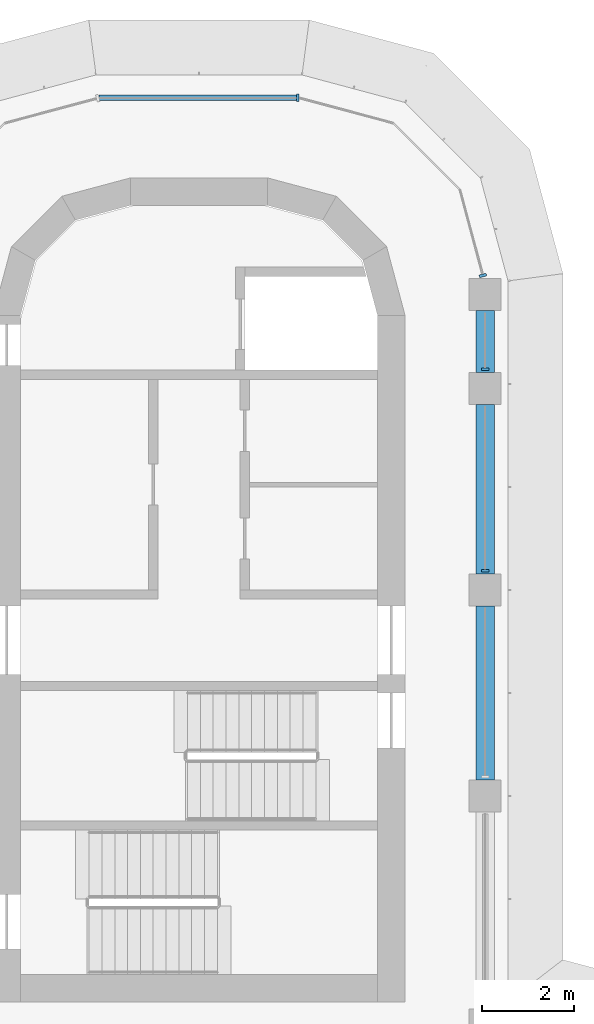
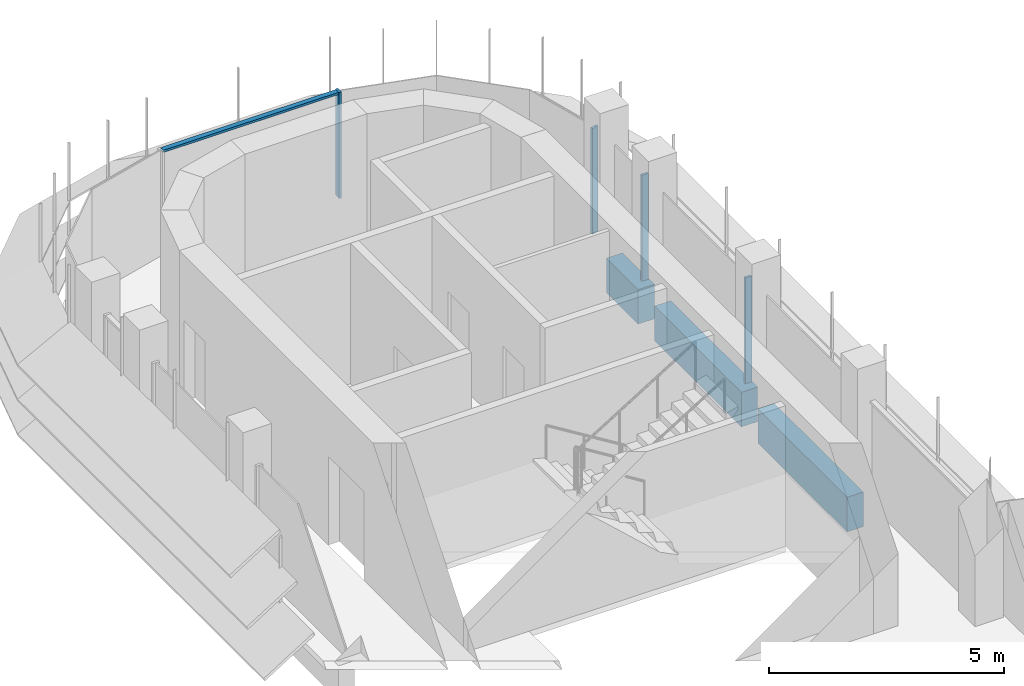
# One storey, part 10 of 18: 5 members, 3 beams, 3 elements without a shape of their own.
"""IFC4 building model written with IfcOpenShell, lengths in metres."""

from ifc_helpers import new_model, si_unit, direction, frame, origin, origin_2d, place, context, subcontext, project, spatial, polyline, rectangle, outline, extrude, source, transform, mapped, material, material_profile, profile_set, type_object, element, aggregate, save


model = new_model("IFC4")

# Units and contexts
model_context = context("Model", 3, precision=1e-05, world=origin(), true_north=direction((0.0, 1.0)))
body_context = subcontext(model_context, "Body", "Model", "MODEL_VIEW")
ifc_project = project(units=[si_unit("LENGTHUNIT", "METRE"), si_unit("AREAUNIT", "SQUARE_METRE"), si_unit("VOLUMEUNIT", "CUBIC_METRE"), si_unit("PLANEANGLEUNIT", "RADIAN"), si_unit("MASSUNIT", "GRAM", prefix="KILO")], contexts=[model_context])

# Site, building, storey
site_placement = place(None, origin())
site = spatial("IfcSite", under=ifc_project, at=site_placement, CompositionType="ELEMENT")
building_placement = place(site_placement, origin())
building = spatial("IfcBuilding", under=site, at=building_placement, Name="Zarbagh Exchange Tower", CompositionType="ELEMENT")
storey_placement = place(building_placement, frame((0.0, 0.0, 214.39990234375)))
storey = spatial("IfcBuildingStorey", under=building, at=storey_placement, Name="L52", CompositionType="ELEMENT", Elevation=214.39990234375)

# Beams
ifc_material_1 = material(Name="Concrete C50/60", Category="concrete")
ifc_material_profile = material_profile(ifc_material_1, rectangle(XDim=0.39990234375, YDim=0.89990234375, at=origin_2d()), Name="RC spandrel beam 400 x 900 C50/60")
ifc_profile_set = profile_set([ifc_material_profile], Name="Concrete C50/60")
beam_type = type_object("IfcBeamType", Name="RC spandrel beam 400 x 900 C50/60", PredefinedType="SPANDREL", material=ifc_profile_set)
beam_1_placement = place(storey_placement, frame((6.25, 26.35009765625, -0.599853515625), z_axis=(0.0, -1.0, 0.0), x_axis=(1.0, 0.0, 0.0)))
element("IfcBeam", 1, at=beam_1_placement, inside=storey, type_object=beam_type, Name="RC spandrel beam", PredefinedType="SPANDREL", context=body_context, shape_type="SweptSolid", body=[
    extrude(rectangle(XDim=0.39990234375, YDim=0.89990234375, at=origin_2d()), origin(), (0.0, 0.0, 1.0), 1.35009765625),
])
beam_2_placement = place(storey_placement, frame((6.25, 24.300048828125, -0.599853515625), z_axis=(0.0, -1.0, 0.0), x_axis=(1.0, 0.0, 0.0)))
element("IfcBeam", 2, at=beam_2_placement, inside=storey, type_object=beam_type, Name="RC spandrel beam", PredefinedType="SPANDREL", context=body_context, shape_type="SweptSolid", body=[
    extrude(rectangle(XDim=0.39990234375, YDim=0.89990234375, at=origin_2d()), origin(), (0.0, 0.0, 1.0), 3.699951171875),
])
beam_3_placement = place(storey_placement, frame((6.25, 19.89990234375, -0.599853515625), z_axis=(0.0, -1.0, 0.0), x_axis=(1.0, 0.0, 0.0)))
element("IfcBeam", 3, at=beam_3_placement, inside=storey, type_object=beam_type, Name="RC spandrel beam", PredefinedType="SPANDREL", context=body_context, shape_type="SweptSolid", body=[
    extrude(rectangle(XDim=0.39990234375, YDim=0.89990234375, at=origin_2d()), origin(), (0.0, 0.0, 1.0), 3.7998046875),
])

# Curtain wall, members
ifc_material_2 = material(Name="Anodised aluminium frame and glazing", Category="aluminium")
curtain_wall_type = type_object("IfcCurtainWallType", Name="CWB Ribbon glazing, upper zones", PredefinedType="NOTDEFINED", material=ifc_material_2)
curtain_wall_1_placement = place(storey_placement, origin())
curtain_wall_1 = element("IfcCurtainWall", 4, at=curtain_wall_1_placement, inside=storey, type_object=curtain_wall_type, Name="CWB20 curtain wall", PredefinedType="NOTDEFINED")
ifc_material_3 = material(Name="Anodised aluminium frame", Category="aluminium")
member_type_1 = type_object("IfcMemberType", Name="MUB Mullion, anodised aluminium frame", PredefinedType="MULLION", material=ifc_material_3)
shared_shape_1 = source(origin(), body_context, "Body", "SweptSolid", [
    extrude(outline(polyline([(0.0, -0.080078125), (0.06005859375, -0.080078125), (0.06005859375, 0.080078125), (0.0, 0.080078125), (0.0, -0.080078125)])), origin(), (0.0, 0.0, 1.0), 2.75),
])
placement = place(storey_placement, origin())
member_1 = element("IfcMember", 5, at=placement, type_object=member_type_1, Name="CWB20 mullion 3.1", PredefinedType="MULLION", context=body_context, shape_type="MappedRepresentation", body=[
    mapped(shared_shape_1, transform((6.25, 20.64013671875, 0.0), x_axis=(0.0, 1.0, 0.0), y_axis=(-1.0, 0.0, 0.0), z_axis=(0.0, 0.0, 1.0))),
])
member_2 = element("IfcMember", 6, at=placement, type_object=member_type_1, Name="CWB20 mullion 4.1", PredefinedType="MULLION", context=body_context, shape_type="MappedRepresentation", body=[
    mapped(shared_shape_1, transform((6.25, 25.0400390625, 0.0), x_axis=(0.0, 1.0, 0.0), y_axis=(-1.0, 0.0, 0.0), z_axis=(0.0, 0.0, 1.0))),
])
aggregate(curtain_wall_1, [member_1, member_2])

# Curtain wall, member
curtain_wall_2_placement = place(storey_placement, origin())
curtain_wall_2 = element("IfcCurtainWall", 7, at=curtain_wall_2_placement, inside=storey, type_object=curtain_wall_type, Name="CWB21 curtain wall", PredefinedType="NOTDEFINED")
member_3 = element("IfcMember", 8, at=placement, type_object=member_type_1, Name="CWB21 mullion 1.1", PredefinedType="MULLION", context=body_context, shape_type="MappedRepresentation", body=[
    mapped(shared_shape_1, transform((6.208251953125, 27.090087890625, 0.0), x_axis=(-0.258824779902, 0.965924289636, 0.0), y_axis=(-0.965924289636, -0.258824779902, 0.0), z_axis=(0.0, 0.0, 1.0))),
])
aggregate(curtain_wall_2, [member_3])

# Curtain wall, members
curtain_wall_3_placement = place(storey_placement, origin())
curtain_wall_3 = element("IfcCurtainWall", 9, at=curtain_wall_3_placement, inside=storey, type_object=curtain_wall_type, Name="CWB24 curtain wall", PredefinedType="NOTDEFINED")
member_4 = element("IfcMember", 10, at=placement, type_object=member_type_1, Name="CWB24 mullion 1.1", PredefinedType="MULLION", context=body_context, shape_type="MappedRepresentation", body=[
    mapped(shared_shape_1, transform((2.18408203125, 31.0, 0.0), x_axis=(-1.0, 0.0, 0.0), y_axis=(0.0, -1.0, 0.0), z_axis=(0.0, 0.0, 1.0))),
])
member_type_2 = type_object("IfcMemberType", Name="TRB Transom, anodised aluminium frame", PredefinedType="USERDEFINED", material=ifc_material_3)
shared_shape_2 = source(origin(), body_context, "Body", "SweptSolid", [
    extrude(outline(polyline([(-0.06005859375, -0.06005859375), (0.0, -0.06005859375), (0.0, 0.06005859375), (-0.06005859375, 0.06005859375), (-0.06005859375, -0.06005859375)])), origin(), (0.0, 0.0, 1.0), 4.308349609375),
])
member_5 = element("IfcMember", 11, at=placement, type_object=member_type_2, Name="CWB24 transom 1.1", ObjectType="TRANSOM", PredefinedType="USERDEFINED", context=body_context, shape_type="MappedRepresentation", body=[
    mapped(shared_shape_2, transform((2.124267578125, 31.0, 2.75), x_axis=(0.0, 0.0, 1.0), y_axis=(0.0, 1.0, 0.0), z_axis=(-1.0, 0.0, 0.0))),
])
aggregate(curtain_wall_3, [member_4, member_5])

save(model, "model.ifc")
